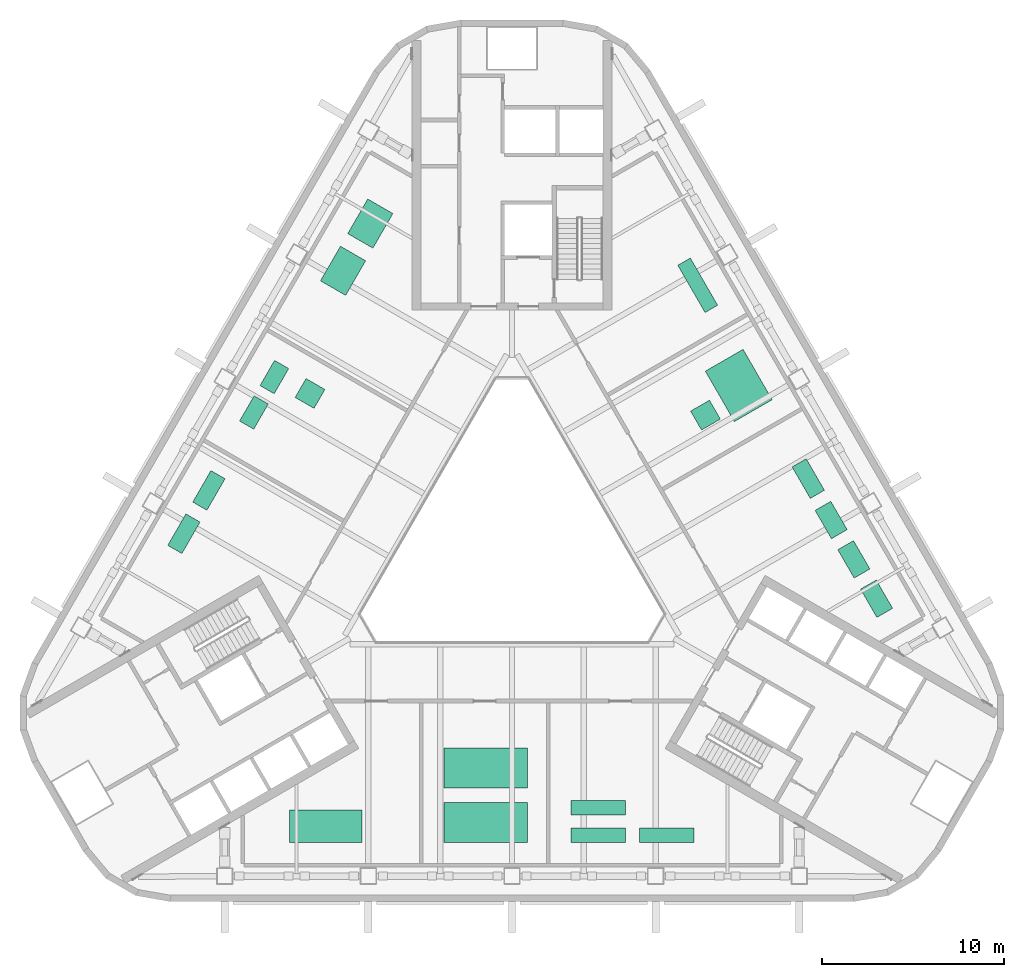
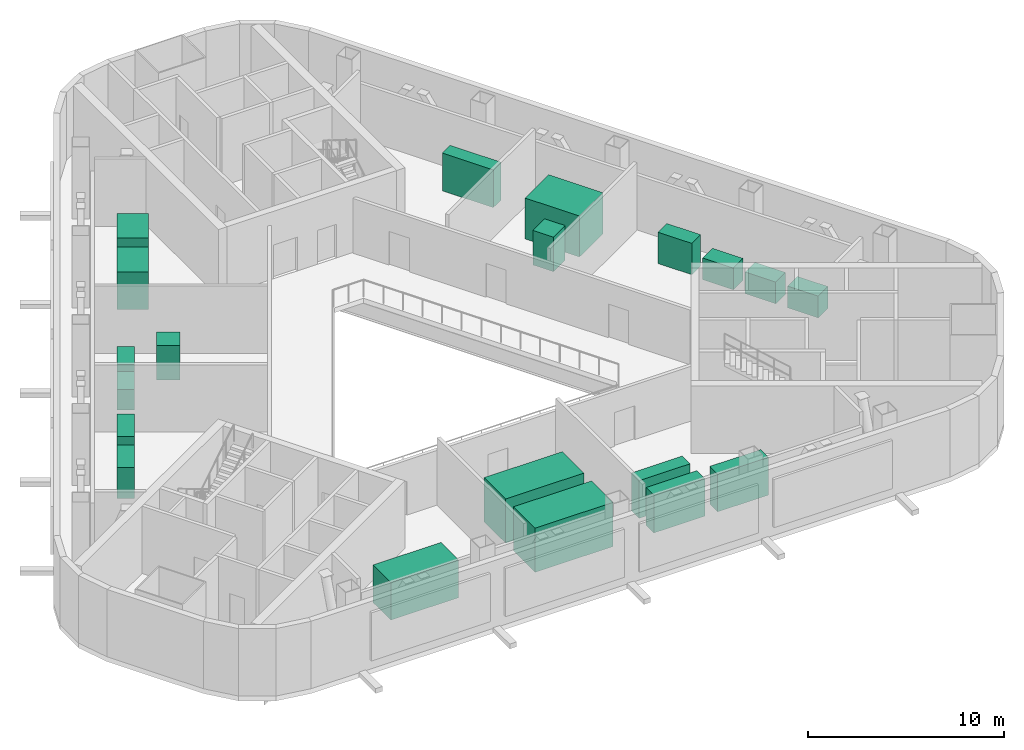
# One storey, part 15 of 15: 5 pumps, 4 electric distribution boards, 3 heat exchangers, 3 tanks, 2 chillers, 2 transformers, 1 unitary equipment element.
"""IFC4 building model written with IfcOpenShell, lengths in metres."""

from ifc_helpers import new_model, si_unit, direction, frame, origin, origin_2d, place, context, subcontext, project, spatial, rectangle, extrude, material, type_object, element, save


model = new_model("IFC4")

# Units and contexts
model_context = context("Model", 3, precision=1e-05, world=origin(), true_north=direction((0.0, 1.0)))
body_context = subcontext(model_context, "Body", "Model", "MODEL_VIEW")
ifc_project = project(units=[si_unit("LENGTHUNIT", "METRE"), si_unit("AREAUNIT", "SQUARE_METRE"), si_unit("VOLUMEUNIT", "CUBIC_METRE"), si_unit("PLANEANGLEUNIT", "RADIAN"), si_unit("MASSUNIT", "GRAM", prefix="KILO")], contexts=[model_context])

# Site, building, storey
site_placement = place(None, origin())
site = spatial("IfcSite", under=ifc_project, at=site_placement, CompositionType="ELEMENT")
building_placement = place(site_placement, origin())
building = spatial("IfcBuilding", under=site, at=building_placement, Name="Apuvela Tower Hotel", CompositionType="ELEMENT")
storey_placement = place(building_placement, frame((0.0, 0.0, 137.60009765625)))
storey = spatial("IfcBuildingStorey", under=building, at=storey_placement, Name="L32 Plant", CompositionType="ELEMENT", Elevation=137.60009765625)

# Unitary equipment
ifc_material = material(Name="Painted sheet metal casing")
unitary_equipment_type = type_object("IfcUnitaryEquipmentType", Name="SPC-EQ-Air handling unit", PredefinedType="AIRHANDLER", material=ifc_material)
unitary_equipment_placement = place(storey_placement, frame((-10.25, -15.47998046875, -0.000244140625), z_axis=(0.0, 0.0, 1.0), x_axis=(1.0, 0.0, 0.0)))
element("IfcUnitaryEquipment", 1, at=unitary_equipment_placement, inside=storey, type_object=unitary_equipment_type, Name="Air handling unit L32-S1.1", PredefinedType="AIRHANDLER", context=body_context, shape_type="SweptSolid", body=[
    extrude(rectangle(XDim=4.0, YDim=1.800048828125, at=origin_2d()), origin(), (0.0, 0.0, 1.0), 2.35009765625),
])

# Pumps
pump_type_1 = type_object("IfcPumpType", Name="SPC-EQ-Chilled water pump", PredefinedType="CIRCULATOR", material=ifc_material)
for number, where, z_axis, x_axis, name in (
    (2, (-13.07080078125, 9.220703125, 0.0), (0.0, 0.0, 1.0), (-0.5, -0.866025403784, 0.0), "Chilled water pump L32-NW2.1"),
    (3, (-14.19580078125, 7.272216796875, 0.0), (0.0, 0.0, 1.0), (-0.5, -0.866025403784, 0.0), "Chilled water pump L32-NW2.2"),
):
    element("IfcPump", number, at=place(storey_placement, frame(where, z_axis=z_axis, x_axis=x_axis)), inside=storey, type_object=pump_type_1, Name=name, PredefinedType="CIRCULATOR", context=body_context, shape_type="SweptSolid", body=[
        extrude(rectangle(XDim=1.60009765625, YDim=0.89990234375, at=origin_2d()), origin(), (0.0, 0.0, 1.0), 1.25),
    ])

# Chillers
chiller_type = type_object("IfcChillerType", Name="SPC-EQ-Chiller", PredefinedType="WATERCOOLED", material=ifc_material)
for number, where, z_axis, x_axis, name in (
    (4, (-1.449951171875, -15.280029296875, 0.0), (0.0, 0.0, 1.0), (1.0, 0.0, 0.0), "Chiller L32-S2.1"),
    (5, (-1.449951171875, -12.280029296875, 0.0), (0.0, 0.0, 1.0), (1.0, 0.0, 0.0), "Chiller L32-S2.2"),
):
    element("IfcChiller", number, at=place(storey_placement, frame(where, z_axis=z_axis, x_axis=x_axis)), inside=storey, type_object=chiller_type, Name=name, PredefinedType="WATERCOOLED", context=body_context, shape_type="SweptSolid", body=[
        extrude(rectangle(XDim=4.60009765625, YDim=2.199951171875, at=origin_2d()), origin(), (0.0, 0.0, 1.0), 2.75),
    ])

# Pumps
pump_type_2 = type_object("IfcPumpType", Name="SPC-EQ-Condenser water pump", PredefinedType="CIRCULATOR", material=ifc_material)
for number, where, z_axis, x_axis, name in (
    (6, (20.052490234375, -2.971923828125, -0.000244140625), (0.0, 0.0, 1.0), (-0.5, 0.866025403784, 0.0), "Condenser water pump L32-NE1.1"),
    (7, (18.802490234375, -0.806884765625, -0.000244140625), (0.0, 0.0, 1.0), (-0.5, 0.866025403784, 0.0), "Condenser water pump L32-NE1.2"),
    (8, (17.552490234375, 1.358154296875, -0.000244140625), (0.0, 0.0, 1.0), (-0.5, 0.866025403784, 0.0), "Condenser water pump L32-NE1.3"),
):
    element("IfcPump", number, at=place(storey_placement, frame(where, z_axis=z_axis, x_axis=x_axis)), inside=storey, type_object=pump_type_2, Name=name, PredefinedType="CIRCULATOR", context=body_context, shape_type="SweptSolid", body=[
        extrude(rectangle(XDim=1.800048828125, YDim=1.0, at=origin_2d()), origin(), (0.0, 0.0, 1.0), 1.35009765625),
    ])

# Heat exchangers
heat_exchanger_type = type_object("IfcHeatExchangerType", Name="SPC-EQ-Heat exchanger", PredefinedType="PLATE", material=ifc_material)
for number, where, z_axis, x_axis, name in (
    (9, (16.2958984375, 3.635009765625, 0.0), (0.0, 0.0, 1.0), (-0.5, 0.866025403784, 0.0), "Heat exchanger L32-NE1.4"),
    (10, (-16.6708984375, 2.9853515625, 0.0), (0.0, 0.0, 1.0), (-0.5, -0.866025403784, 0.0), "Heat exchanger L32-NW3.1"),
    (11, (-18.0458984375, 0.603759765625, 0.0), (0.0, 0.0, 1.0), (-0.5, -0.866025403784, 0.0), "Heat exchanger L32-NW3.2"),
):
    element("IfcHeatExchanger", number, at=place(storey_placement, frame(where, z_axis=z_axis, x_axis=x_axis)), inside=storey, type_object=heat_exchanger_type, Name=name, PredefinedType="PLATE", context=body_context, shape_type="SweptSolid", body=[
        extrude(rectangle(XDim=2.0, YDim=0.89990234375, at=origin_2d()), origin(), (0.0, 0.0, 1.0), 1.949951171875),
    ])

# Tanks
tank_type_1 = type_object("IfcTankType", Name="SPC-EQ-Pressure vessel", PredefinedType="PRESSUREVESSEL", material=ifc_material)
for number, where, z_axis, x_axis, name in (
    (12, (10.642822265625, 7.126220703125, 0.0), (0.0, 0.0, 1.0), (-0.5, 0.866025403784, 0.0), "Pressure vessel L32-NE2.2"),
    (13, (-11.10888671875, 8.31884765625, 0.0), (0.0, 0.0, 1.0), (-0.5, -0.866025403784, 0.0), "Pressure vessel L32-NW2.3"),
):
    element("IfcTank", number, at=place(storey_placement, frame(where, z_axis=z_axis, x_axis=x_axis)), inside=storey, type_object=tank_type_1, Name=name, PredefinedType="PRESSUREVESSEL", context=body_context, shape_type="SweptSolid", body=[
        extrude(rectangle(XDim=1.199951171875, YDim=1.199951171875, at=origin_2d()), origin(), (0.0, 0.0, 1.0), 2.14990234375),
    ])

# Electric distribution boards
electric_distribution_board_type = type_object("IfcElectricDistributionBoardType", Name="SPC-EQ-Switchboard", PredefinedType="SWITCHBOARD", material=ifc_material)
for number, where, z_axis, x_axis, name in (
    (14, (4.75, -15.97998046875, -0.000244140625), (0.0, 0.0, 1.0), (1.0, 0.0, 0.0), "Switchboard L32-S3.1"),
    (15, (8.5, -15.97998046875, -0.000244140625), (0.0, 0.0, 1.0), (1.0, 0.0, 0.0), "Switchboard L32-S3.2"),
    (16, (4.75, -14.47998046875, -0.000244140625), (0.0, 0.0, 1.0), (1.0, 0.0, 0.0), "Switchboard L32-S3.3"),
    (17, (10.214111328125, 14.268798828125, -0.000244140625), (0.0, 0.0, 1.0), (-0.5, 0.866025403784, 0.0), "Switchboard L32-NE3.1"),
):
    element("IfcElectricDistributionBoard", number, at=place(storey_placement, frame(where, z_axis=z_axis, x_axis=x_axis)), inside=storey, type_object=electric_distribution_board_type, Name=name, PredefinedType="SWITCHBOARD", context=body_context, shape_type="SweptSolid", body=[
        extrude(rectangle(XDim=3.0, YDim=0.800048828125, at=origin_2d()), origin(), (0.0, 0.0, 1.0), 2.35009765625),
    ])

# Transformers
transformer_type = type_object("IfcTransformerType", Name="SPC-EQ-Transformer", PredefinedType="VOLTAGE", material=ifc_material)
for number, where, z_axis, x_axis, name in (
    (18, (-7.792724609375, 17.66259765625, -0.000244140625), (0.0, 0.0, 1.0), (-0.5, -0.866025403784, 0.0), "Transformer L32-NW1.1"),
    (19, (-9.292724609375, 15.064697265625, -0.000244140625), (0.0, 0.0, 1.0), (-0.5, -0.866025403784, 0.0), "Transformer L32-NW1.2"),
):
    element("IfcTransformer", number, at=place(storey_placement, frame(where, z_axis=z_axis, x_axis=x_axis)), inside=storey, type_object=transformer_type, Name=name, PredefinedType="VOLTAGE", context=body_context, shape_type="SweptSolid", body=[
        extrude(rectangle(XDim=2.199951171875, YDim=1.60009765625, at=origin_2d()), origin(), (0.0, 0.0, 1.0), 2.35009765625),
    ])

# Tank
tank_type_2 = type_object("IfcTankType", Name="SPC-EQ-Water storage tank", PredefinedType="STORAGE", material=ifc_material)
tank_placement = place(storey_placement, frame((12.47119140625, 8.759033203125, 0.0), z_axis=(0.0, 0.0, 1.0), x_axis=(-0.5, 0.866025403784, 0.0)))
element("IfcTank", 20, at=tank_placement, inside=storey, type_object=tank_type_2, Name="Water storage tank L32-NE2.1", PredefinedType="STORAGE", context=body_context, shape_type="SweptSolid", body=[
    extrude(rectangle(XDim=3.199951171875, YDim=2.39990234375, at=origin_2d()), origin(), (0.0, 0.0, 1.0), 2.550048828125),
])

save(model, "model.ifc")
